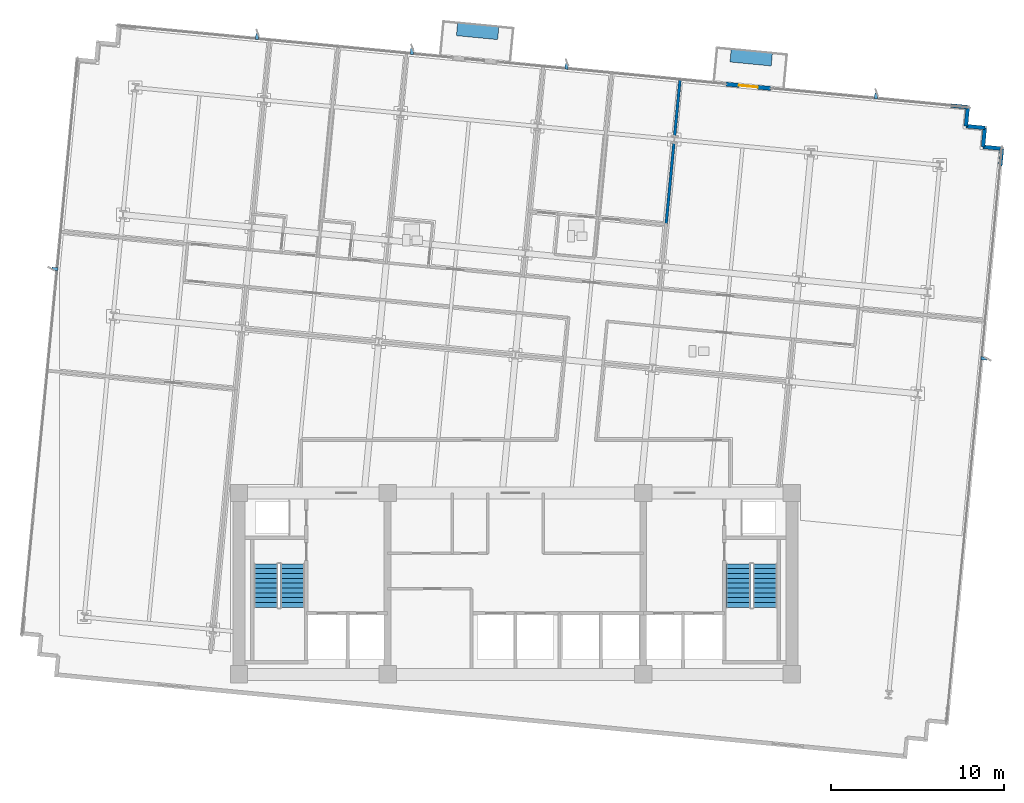
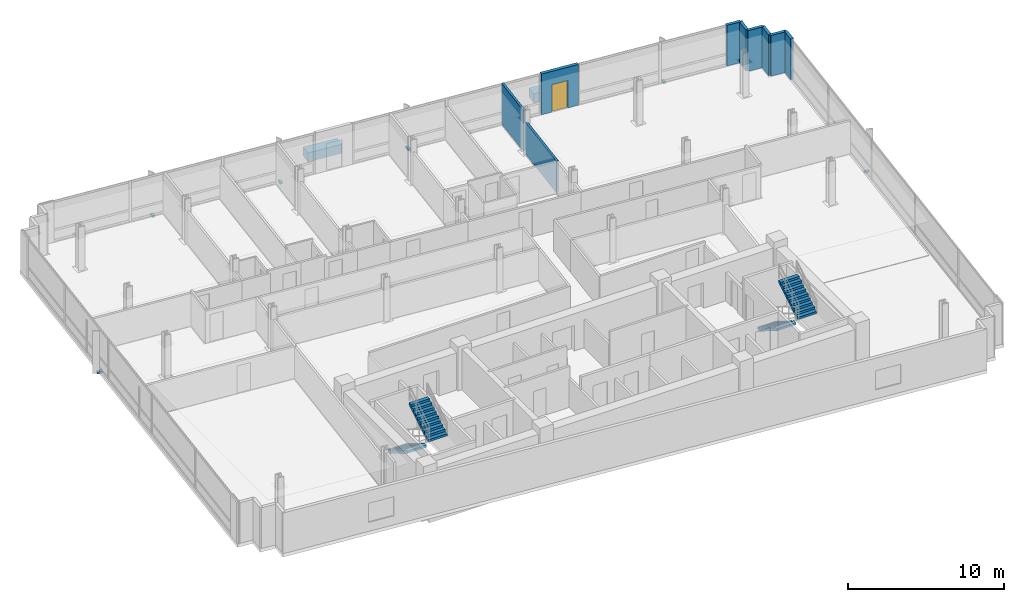
# One storey, part 13 of 17: 9 walls, 8 discrete accessories, 4 stair flights, 1 door, 1 opening, 2 elements without a shape of their own.
"""IFC4 building model written with IfcOpenShell, lengths in metres."""

from ifc_helpers import new_model, si_unit, direction, frame, frame_2d, origin, origin_2d, place, context, subcontext, project, spatial, polyline, rectangle, outline, extrude, material, layer, layer_set, type_object, element, fill, aggregate, save


model = new_model("IFC4")

# Units and contexts
model_context = context("Model", 3, precision=1e-05, world=origin(), true_north=direction((0.0, 1.0)))
body_context = subcontext(model_context, "Body", "Model", "MODEL_VIEW")
ifc_project = project(units=[si_unit("LENGTHUNIT", "METRE"), si_unit("AREAUNIT", "SQUARE_METRE"), si_unit("VOLUMEUNIT", "CUBIC_METRE"), si_unit("PLANEANGLEUNIT", "RADIAN"), si_unit("MASSUNIT", "GRAM", prefix="KILO")], contexts=[model_context])

# Site, building, storey
site_placement = place(None, origin())
site = spatial("IfcSite", under=ifc_project, at=site_placement, CompositionType="ELEMENT")
building_placement = place(site_placement, origin())
building = spatial("IfcBuilding", under=site, at=building_placement, Name="Solmavex Isthmus Hotel", CompositionType="ELEMENT")
storey_placement = place(building_placement, frame((0.0, 0.0, 149.699951171875)))
storey = spatial("IfcBuildingStorey", under=building, at=storey_placement, Name="L40", CompositionType="ELEMENT", Elevation=149.699951171875)

# Wall, opening, door
ifc_material_1 = material(Name="Precast Concrete C40/50", Category="concrete")
ifc_layer_1 = layer(ifc_material_1, 0.25)
ifc_layer_set_1 = layer_set([ifc_layer_1], Name="Precast Concrete C40/50")
wall_type_1 = type_object("IfcWallType", Name="EW-TWR-250", PredefinedType="STANDARD", material=ifc_layer_set_1)
wall_1_placement = place(storey_placement, frame((12.194580078125, 21.173828125, 0.0), z_axis=(0.0, 0.0, 1.0), x_axis=(0.995394049959, -0.095868061976, 0.0)))
wall_1 = element("IfcWall", 1, at=wall_1_placement, inside=storey, type_object=wall_type_1, Name="Exterior Balcony Door Wall L40-3", PredefinedType="STANDARD", context=body_context, shape_type="SweptSolid", body=[
    extrude(rectangle(XDim=2.60009765625, YDim=0.239990234375, at=frame_2d((1.300048828125, 0.0))), origin(), (0.0, 0.0, 1.0), 3.18994140625),
])
opening_placement = place(wall_1_placement, frame((0.75, 0.0, 0.0)))
opening = element("IfcOpeningElement", 2, at=opening_placement, cuts=wall_1, Name="Opening ED-02", PredefinedType="OPENING", context=body_context, shape_type="SweptSolid", body=[
    extrude(rectangle(XDim=1.10009765625, YDim=2.14990234375, at=frame_2d((0.550048828125, 1.074951171875))), frame((0.0, 0.1298828125, 0.0), z_axis=(0.0, -1.0, 0.0), x_axis=(1.0, 0.0, 0.0)), (0.0, 0.0, 1.0), 0.260009765625),
])
ifc_material_2 = material(Name="Aluminium alloy 6063-T6", Category="aluminium")
door_type = type_object("IfcDoorType", Name="EDR-BALC-1100", OperationType="NOTDEFINED", PredefinedType="DOOR", material=ifc_material_2)
door_placement = place(opening_placement, origin())
door = element("IfcDoor", 3, at=door_placement, inside=storey, type_object=door_type, Name="Balcony & Terrace Glazed Door L40-3", OperationType="SINGLE_SWING_LEFT", OverallHeight=2.14990234375, OverallWidth=1.10009765625, PredefinedType="DOOR", context=body_context, shape_type="SweptSolid", body=[
    extrude(rectangle(XDim=1.10009765625, YDim=2.14990234375, at=frame_2d((0.550048828125, 1.074951171875))), frame((0.0, 0.02490234375, 0.0), z_axis=(0.0, -1.0, 0.0), x_axis=(1.0, 0.0, 0.0)), (0.0, 0.0, 1.0), 0.050048828125),
])
fill(opening, door)

# Walls
wall_2_placement = place(storey_placement, frame((25.201416015625, 19.931396484375, 0.0), z_axis=(0.0, 0.0, 1.0), x_axis=(0.99541083642, -0.095693608655, 0.0)))
element("IfcWall", 4, at=wall_2_placement, inside=storey, type_object=wall_type_1, Name="Serrated Corner Facade Panel L40-14", PredefinedType="STANDARD", context=body_context, shape_type="SweptSolid", body=[
    extrude(rectangle(XDim=0.989990234375, YDim=0.219970703125, at=frame_2d((0.4951171875, 0.0))), origin(), (0.0, 0.0, 1.0), 3.18994140625),
])
wall_3_placement = place(storey_placement, frame((26.186767578125, 19.836669921875, 0.0), z_axis=(0.0, 0.0, 1.0), x_axis=(-0.095657429048, -0.995414313875, 0.0)))
element("IfcWall", 5, at=wall_3_placement, inside=storey, type_object=wall_type_1, Name="Serrated Corner Facade Panel L40-15", PredefinedType="STANDARD", context=body_context, shape_type="SweptSolid", body=[
    extrude(rectangle(XDim=1.10009765625, YDim=0.219970703125, at=frame_2d((0.550048828125, 0.0))), origin(), (0.0, 0.0, 1.0), 3.18994140625),
])
wall_4_placement = place(storey_placement, frame((26.08154296875, 18.74169921875, 0.0), z_axis=(0.0, 0.0, 1.0), x_axis=(0.995391116058, -0.095898519656, 0.0)))
element("IfcWall", 6, at=wall_4_placement, inside=storey, type_object=wall_type_1, Name="Serrated Corner Facade Panel L40-16", PredefinedType="STANDARD", context=body_context, shape_type="SweptSolid", body=[
    extrude(rectangle(XDim=1.099853515625, YDim=0.219970703125, at=frame_2d((0.5498046875, 0.0))), origin(), (0.0, 0.0, 1.0), 3.18994140625),
])
wall_5_placement = place(storey_placement, frame((27.17626953125, 18.63623046875, 0.0), z_axis=(0.0, 0.0, 1.0), x_axis=(-0.095657429048, -0.995414313875, 0.0)))
element("IfcWall", 7, at=wall_5_placement, inside=storey, type_object=wall_type_1, Name="Serrated Corner Facade Panel L40-17", PredefinedType="STANDARD", context=body_context, shape_type="SweptSolid", body=[
    extrude(rectangle(XDim=1.10009765625, YDim=0.219970703125, at=frame_2d((0.550048828125, 0.0))), origin(), (0.0, 0.0, 1.0), 3.18994140625),
])
wall_6_placement = place(storey_placement, frame((27.071044921875, 17.541259765625, 0.0), z_axis=(0.0, 0.0, 1.0), x_axis=(0.995391116058, -0.095898519656, 0.0)))
element("IfcWall", 8, at=wall_6_placement, inside=storey, type_object=wall_type_1, Name="Serrated Corner Facade Panel L40-18", PredefinedType="STANDARD", context=body_context, shape_type="SweptSolid", body=[
    extrude(rectangle(XDim=1.099853515625, YDim=0.219970703125, at=frame_2d((0.5498046875, 0.0))), origin(), (0.0, 0.0, 1.0), 3.18994140625),
])
wall_7_placement = place(storey_placement, frame((28.165771484375, 17.435791015625, 0.0), z_axis=(0.0, 0.0, 1.0), x_axis=(-0.095693608655, -0.99541083642, 0.0)))
element("IfcWall", 9, at=wall_7_placement, inside=storey, type_object=wall_type_1, Name="Serrated Corner Facade Panel L40-19", PredefinedType="STANDARD", context=body_context, shape_type="SweptSolid", body=[
    extrude(rectangle(XDim=0.989990234375, YDim=0.219970703125, at=frame_2d((0.4951171875, 0.0))), origin(), (0.0, 0.0, 1.0), 3.18994140625),
])
ifc_material_3 = material(Name="Gypsum plasterboard lining", Category="gypsum")
ifc_layer_2 = layer(ifc_material_3, 0.159912109375)
ifc_layer_set_2 = layer_set([ifc_layer_2], Name="Gypsum plasterboard lining")
wall_type_2 = type_object("IfcWallType", Name="IW-COMP-160", PredefinedType="PARTITIONING", material=ifc_layer_set_2)
wall_8_placement = place(storey_placement, frame((9.178466796875, 17.791259765625, 0.0), z_axis=(0.0, 0.0, 1.0), x_axis=(-0.095811141896, -0.995399530384, 0.0)))
element("IfcWall", 10, at=wall_8_placement, inside=storey, type_object=wall_type_2, Name="Interior Partition Wall W-L40-P053", PredefinedType="PARTITIONING", context=body_context, shape_type="SweptSolid", body=[
    extrude(rectangle(XDim=4.805908203125, YDim=0.159912109375, at=frame_2d((2.40283203125, 0.0))), origin(), (0.0, 0.0, 1.0), 2.4794921875),
])
wall_9_placement = place(storey_placement, frame((9.53271484375, 21.470458984375, 0.0), z_axis=(0.0, 0.0, 1.0), x_axis=(-0.095859866796, -0.995394839216, 0.0)))
element("IfcWall", 11, at=wall_9_placement, inside=storey, type_object=wall_type_2, Name="Interior Partition Wall W-L40-P054", PredefinedType="PARTITIONING", context=body_context, shape_type="SweptSolid", body=[
    extrude(rectangle(XDim=3.343994140625, YDim=0.159912109375, at=frame_2d((1.671875, 0.0))), origin(), (0.0, 0.0, 1.0), 3.18994140625),
])

# Stair, stair flights
ifc_material_4 = material(Name="Concrete C40/50", Category="concrete")
stair_type_1 = type_object("IfcStairType", Name="STR-ST-1", PredefinedType="HALF_TURN_STAIR", material=ifc_material_4)
stair_1_placement = place(storey_placement, origin())
stair_1 = element("IfcStair", 12, at=stair_1_placement, inside=storey, type_object=stair_type_1, Name="L40 Protected Exit Stair ST-1", PredefinedType="HALF_TURN_STAIR")
stair_flight_type_1 = type_object("IfcStairFlightType", Name="SFL-ST-1", PredefinedType="STRAIGHT", material=ifc_material_4)
stair_flight_1_placement = place(storey_placement, frame((-14.449951171875, -6.60009765625, 0.0), z_axis=(0.0, 0.0, 1.0), x_axis=(0.0, -1.0, 0.0)))
stair_flight_1 = element("IfcStairFlight", 13, at=stair_flight_1_placement, type_object=stair_flight_type_1, Name="ST-1 flight 1", NumberOfRisers=10, NumberOfTreads=9, PredefinedType="STRAIGHT", RiserHeight=0.1725, TreadLength=0.28, context=body_context, shape_type="SweptSolid", body=[
    extrude(outline(polyline([(0.0, 0.0), (0.0, 0.172607421875), (0.280029296875, 0.172607421875), (0.280029296875, 0.344970703125), (0.56005859375, 0.344970703125), (0.56005859375, 0.517578125), (0.840087890625, 0.517578125), (0.840087890625, 0.68994140625), (1.1201171875, 0.68994140625), (1.1201171875, 0.862548828125), (1.39990234375, 0.862548828125), (1.39990234375, 1.034912109375), (1.679931640625, 1.034912109375), (1.679931640625, 1.20751953125), (1.9599609375, 1.20751953125), (1.9599609375, 1.3798828125), (2.239990234375, 1.3798828125), (2.239990234375, 1.552490234375), (2.52001953125, 1.552490234375), (2.52001953125, 1.72509765625), (2.52001953125, 1.37646484375), (0.285888671875, 0.0), (0.0, 0.0)])), frame((0.0, 0.699951171875, 0.0), z_axis=(0.0, -1.0, 0.0), x_axis=(1.0, 0.0, 0.0)), (0.0, 0.0, 1.0), 1.39990234375),
])
stair_flight_2_placement = place(storey_placement, frame((-12.89990234375, -9.1201171875, 1.72509765625), z_axis=(0.0, 0.0, 1.0), x_axis=(0.0, 1.0, 0.0)))
stair_flight_2 = element("IfcStairFlight", 14, at=stair_flight_2_placement, type_object=stair_flight_type_1, Name="ST-1 flight 2", NumberOfRisers=10, NumberOfTreads=9, PredefinedType="STRAIGHT", RiserHeight=0.1725, TreadLength=0.28, context=body_context, shape_type="SweptSolid", body=[
    extrude(outline(polyline([(0.0, 0.0), (0.0, 0.172607421875), (0.280029296875, 0.172607421875), (0.280029296875, 0.344970703125), (0.56005859375, 0.344970703125), (0.56005859375, 0.517578125), (0.840087890625, 0.517578125), (0.840087890625, 0.68994140625), (1.1201171875, 0.68994140625), (1.1201171875, 0.862548828125), (1.39990234375, 0.862548828125), (1.39990234375, 1.034912109375), (1.679931640625, 1.034912109375), (1.679931640625, 1.20751953125), (1.9599609375, 1.20751953125), (1.9599609375, 1.3798828125), (2.239990234375, 1.3798828125), (2.239990234375, 1.552490234375), (2.52001953125, 1.552490234375), (2.52001953125, 1.72509765625), (2.52001953125, 1.37646484375), (0.285888671875, 0.0), (0.0, 0.0)])), frame((0.0, 0.699951171875, 0.0), z_axis=(0.0, -1.0, 0.0), x_axis=(1.0, 0.0, 0.0)), (0.0, 0.0, 1.0), 1.39990234375),
])
aggregate(stair_1, [stair_flight_1, stair_flight_2])

stair_type_2 = type_object("IfcStairType", Name="STR-ST-2", PredefinedType="HALF_TURN_STAIR", material=ifc_material_4)
stair_2_placement = place(storey_placement, origin())
stair_2 = element("IfcStair", 15, at=stair_2_placement, inside=storey, type_object=stair_type_2, Name="L40 Protected Exit Stair ST-2", PredefinedType="HALF_TURN_STAIR")
stair_flight_type_2 = type_object("IfcStairFlightType", Name="SFL-ST-2", PredefinedType="STRAIGHT", material=ifc_material_4)
stair_flight_3_placement = place(storey_placement, frame((12.89990234375, -6.60009765625, 0.0), z_axis=(0.0, 0.0, 1.0), x_axis=(0.0, -1.0, 0.0)))
stair_flight_3 = element("IfcStairFlight", 16, at=stair_flight_3_placement, type_object=stair_flight_type_2, Name="ST-2 flight 1", NumberOfRisers=10, NumberOfTreads=9, PredefinedType="STRAIGHT", RiserHeight=0.1725, TreadLength=0.28, context=body_context, shape_type="SweptSolid", body=[
    extrude(outline(polyline([(0.0, 0.0), (0.0, 0.172607421875), (0.280029296875, 0.172607421875), (0.280029296875, 0.344970703125), (0.56005859375, 0.344970703125), (0.56005859375, 0.517578125), (0.840087890625, 0.517578125), (0.840087890625, 0.68994140625), (1.1201171875, 0.68994140625), (1.1201171875, 0.862548828125), (1.39990234375, 0.862548828125), (1.39990234375, 1.034912109375), (1.679931640625, 1.034912109375), (1.679931640625, 1.20751953125), (1.9599609375, 1.20751953125), (1.9599609375, 1.3798828125), (2.239990234375, 1.3798828125), (2.239990234375, 1.552490234375), (2.52001953125, 1.552490234375), (2.52001953125, 1.72509765625), (2.52001953125, 1.37646484375), (0.285888671875, 0.0), (0.0, 0.0)])), frame((0.0, 0.699951171875, 0.0), z_axis=(0.0, -1.0, 0.0), x_axis=(1.0, 0.0, 0.0)), (0.0, 0.0, 1.0), 1.39990234375),
])
stair_flight_4_placement = place(storey_placement, frame((14.449951171875, -9.1201171875, 1.72509765625), z_axis=(0.0, 0.0, 1.0), x_axis=(0.0, 1.0, 0.0)))
stair_flight_4 = element("IfcStairFlight", 17, at=stair_flight_4_placement, type_object=stair_flight_type_2, Name="ST-2 flight 2", NumberOfRisers=10, NumberOfTreads=9, PredefinedType="STRAIGHT", RiserHeight=0.1725, TreadLength=0.28, context=body_context, shape_type="SweptSolid", body=[
    extrude(outline(polyline([(0.0, 0.0), (0.0, 0.172607421875), (0.280029296875, 0.172607421875), (0.280029296875, 0.344970703125), (0.56005859375, 0.344970703125), (0.56005859375, 0.517578125), (0.840087890625, 0.517578125), (0.840087890625, 0.68994140625), (1.1201171875, 0.68994140625), (1.1201171875, 0.862548828125), (1.39990234375, 0.862548828125), (1.39990234375, 1.034912109375), (1.679931640625, 1.034912109375), (1.679931640625, 1.20751953125), (1.9599609375, 1.20751953125), (1.9599609375, 1.3798828125), (2.239990234375, 1.3798828125), (2.239990234375, 1.552490234375), (2.52001953125, 1.552490234375), (2.52001953125, 1.72509765625), (2.52001953125, 1.37646484375), (0.285888671875, 0.0), (0.0, 0.0)])), frame((0.0, 0.699951171875, 0.0), z_axis=(0.0, -1.0, 0.0), x_axis=(1.0, 0.0, 0.0)), (0.0, 0.0, 1.0), 1.39990234375),
])
aggregate(stair_2, [stair_flight_3, stair_flight_4])

# Discrete accessories
ifc_material_5 = material(Name="Steel ASTM A572 Grade 50", Category="steel")
discrete_accessory_type_1 = type_object("IfcDiscreteAccessoryType", Name="ACC-BRK-FIN", PredefinedType="BRACKET", material=ifc_material_5)
for number, where, z_axis, x_axis, name in (
    (18, (-14.950439453125, 23.92822265625, -0.169921875), (0.0, 0.0, 1.0), (0.09584575252, 0.995396198367, 0.0), "Facade Fin Support Bracket L40-N1"),
    (19, (-5.99169921875, 23.065673828125, -0.169921875), (0.0, 0.0, 1.0), (0.09584575252, 0.995396198367, 0.0), "Facade Fin Support Bracket L40-N2"),
    (20, (2.966796875, 22.203125, -0.169921875), (0.0, 0.0, 1.0), (0.09584575252, 0.995396198367, 0.0), "Facade Fin Support Bracket L40-N3"),
    (21, (20.8837890625, 20.477783203125, -0.169921875), (0.0, 0.0, 1.0), (0.09584575252, 0.995396198367, 0.0), "Facade Fin Support Bracket L40-N4"),
    (22, (-26.664306640625, 10.468994140625, -0.169921875), (0.0, 0.0, 1.0), (-0.995396198367, 0.09584575252, 0.0), "Facade Fin Support Bracket L40-W1"),
    (23, (27.126953125, 5.28955078125, -0.169921875), (0.0, 0.0, 1.0), (0.995396198367, -0.09584575252, 0.0), "Facade Fin Support Bracket L40-E1"),
):
    element("IfcDiscreteAccessory", number, at=place(storey_placement, frame(where, z_axis=z_axis, x_axis=x_axis)), inside=storey, type_object=discrete_accessory_type_1, Name=name, PredefinedType="BRACKET", context=body_context, shape_type="SweptSolid", body=[
        extrude(rectangle(XDim=0.340087890625, YDim=0.179931640625, at=origin_2d()), origin(), (0.0, 0.0, 1.0), 0.159912109375),
    ])
discrete_accessory_type_2 = type_object("IfcDiscreteAccessoryType", Name="ACC-PLN-BALC", PredefinedType="USERDEFINED", material=ifc_material_1)
for number, where, z_axis, x_axis, name in (
    (24, (-2.18994140625, 24.236572265625, 0.0), (0.0, 0.0, 1.0), (0.995396198367, -0.09584575252, 0.0), "Tree-Balcony Architectural Planter L40-B1"),
    (25, (13.648681640625, 22.711669921875, 0.0), (0.0, 0.0, 1.0), (0.995396198367, -0.09584575252, 0.0), "Tree-Balcony Architectural Planter L40-B2"),
):
    element("IfcDiscreteAccessory", number, at=place(storey_placement, frame(where, z_axis=z_axis, x_axis=x_axis)), inside=storey, type_object=discrete_accessory_type_2, Name=name, ObjectType="PLANTER", PredefinedType="USERDEFINED", context=body_context, shape_type="SweptSolid", body=[
        extrude(rectangle(XDim=2.39990234375, YDim=0.75, at=origin_2d()), origin(), (0.0, 0.0, 1.0), 0.699951171875),
    ])

save(model, "model.ifc")
